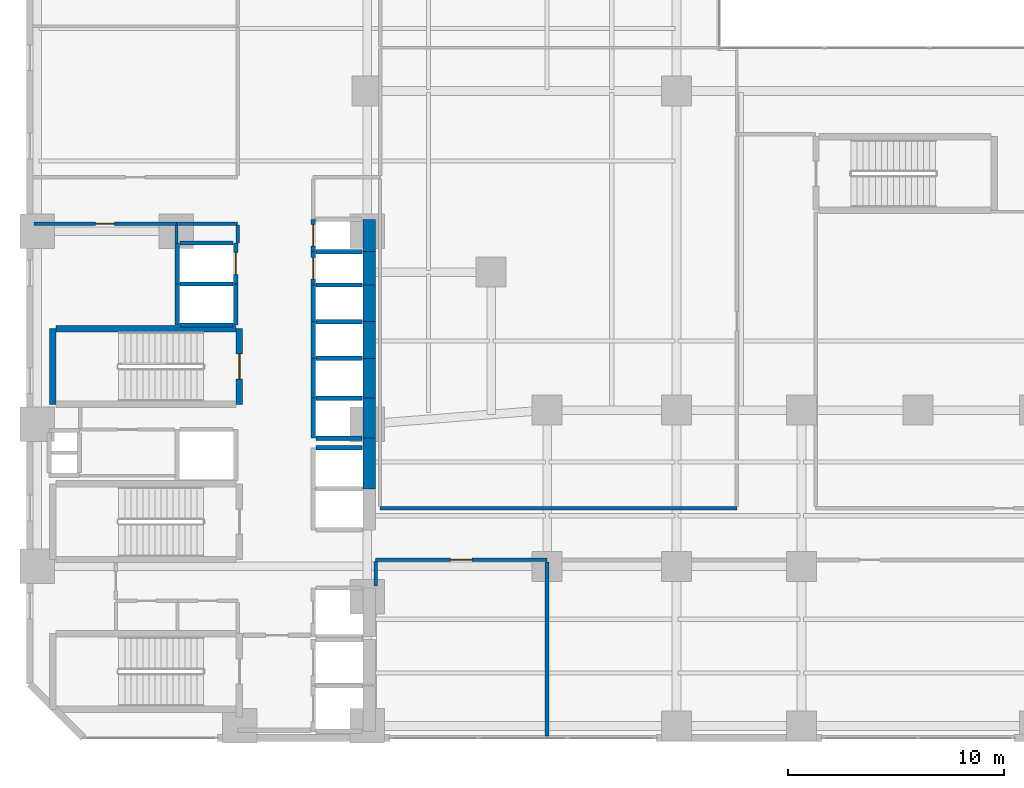
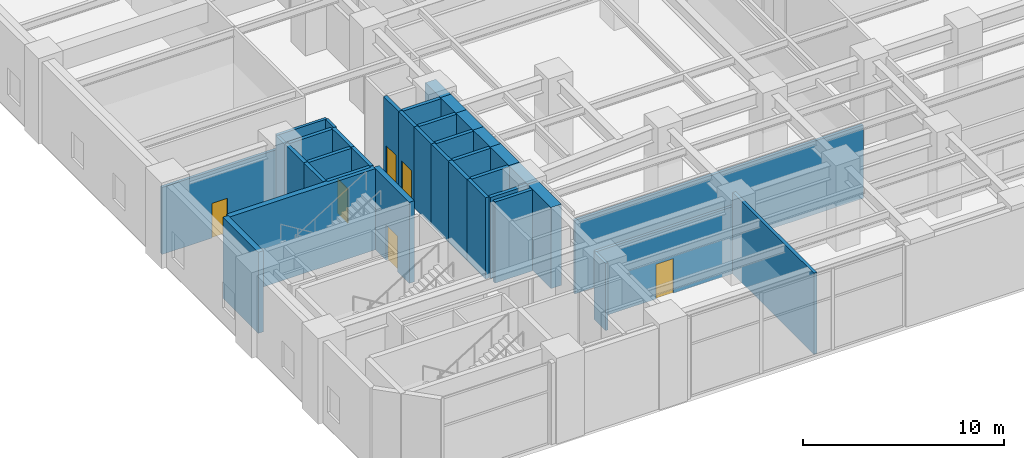
# One storey, part 22 of 29: 38 walls, 6 doors, 6 openings.
"""IFC4 building model written with IfcOpenShell, lengths in metres."""

from ifc_helpers import new_model, si_unit, direction, frame, frame_2d, origin, place, context, subcontext, project, spatial, rectangle, extrude, material, layer, layer_set, type_object, element, fill, save


model = new_model("IFC4")

# Units and contexts
model_context = context("Model", 3, precision=1e-05, world=origin(), true_north=direction((0.0, 1.0)))
body_context = subcontext(model_context, "Body", "Model", "MODEL_VIEW")
ifc_project = project(units=[si_unit("LENGTHUNIT", "METRE"), si_unit("AREAUNIT", "SQUARE_METRE"), si_unit("VOLUMEUNIT", "CUBIC_METRE"), si_unit("PLANEANGLEUNIT", "RADIAN"), si_unit("MASSUNIT", "GRAM", prefix="KILO")], contexts=[model_context])

# Site, building, storey
site_placement = place(None, origin())
site = spatial("IfcSite", under=ifc_project, at=site_placement, CompositionType="ELEMENT")
building_placement = place(site_placement, origin())
building = spatial("IfcBuilding", under=site, at=building_placement, Name="Mawjaban Terraces University", CompositionType="ELEMENT")
storey_placement = place(building_placement, frame((0.0, 0.0, 15.60009765625)))
storey = spatial("IfcBuildingStorey", under=building, at=storey_placement, Name="L03", CompositionType="ELEMENT", Elevation=15.60009765625)

# Walls
ifc_material_1 = material(Name="Acoustic masonry blockwork", Category="masonry")
ifc_layer_1 = layer(ifc_material_1, 0.179931640625)
ifc_layer_set_1 = layer_set([ifc_layer_1], Name="Acoustic masonry blockwork")
wall_type_1 = type_object("IfcWallType", Name="AcousticStudioWall_180", PredefinedType="PARTITIONING", material=ifc_layer_set_1)
wall_1_placement = place(storey_placement, frame((46.0, 0.090087890625, 0.0), z_axis=(0.0, 0.0, 1.0), x_axis=(0.0, 1.0, 0.0)))
element("IfcWall", 1, at=wall_1_placement, inside=storey, type_object=wall_type_1, Name="L03 Foundation Seminar Classroom Partition 36", PredefinedType="PARTITIONING", context=body_context, shape_type="SweptSolid", body=[
    extrude(rectangle(XDim=8.074951171875, YDim=0.179931640625, at=frame_2d((4.03759765625, 0.0))), origin(), (0.0, 0.0, 1.0), 4.919921875),
])
ifc_material_2 = material(Name="Concrete C70/85", Category="concrete")
ifc_layer_2 = layer(ifc_material_2, 0.60009765625)
ifc_layer_set_2 = layer_set([ifc_layer_2], Name="Concrete C70/85")
wall_type_2 = type_object("IfcWallType", Name="CoreShearWall_600", PredefinedType="SHEAR", material=ifc_layer_set_2)
wall_2_placement = place(storey_placement, frame((37.75, 11.550048828125, 0.0), z_axis=(0.0, 0.0, 1.0), x_axis=(0.0, 1.0, 0.0)))
element("IfcWall", 2, at=wall_2_placement, inside=storey, type_object=wall_type_2, Name="L03 Lift PL-H2 Hoistway Wall East", PredefinedType="SHEAR", context=body_context, shape_type="SweptSolid", body=[
    extrude(rectangle(XDim=2.349853515625, YDim=0.60009765625, at=frame_2d((1.1748046875, 0.0))), origin(), (0.0, 0.0, 1.0), 4.919921875),
])
for number, where, z_axis, x_axis, name in (
    (3, (37.75, 13.89990234375, 0.0), (0.0, 0.0, 1.0), (0.0, 1.0, 0.0), "L03 Lift OL-1 Hoistway Wall East"),
    (4, (37.75, 15.75, 0.0), (0.0, 0.0, 1.0), (0.0, 1.0, 0.0), "L03 Lift OL-2 Hoistway Wall East"),
):
    element("IfcWall", number, at=place(storey_placement, frame(where, z_axis=z_axis, x_axis=x_axis)), inside=storey, type_object=wall_type_2, Name=name, PredefinedType="SHEAR", context=body_context, shape_type="SweptSolid", body=[
        extrude(rectangle(XDim=1.85009765625, YDim=0.60009765625, at=frame_2d((0.925048828125, 0.0))), origin(), (0.0, 0.0, 1.0), 4.919921875),
    ])
for number, where, z_axis, x_axis, name in (
    (5, (37.75, 17.60009765625, 0.0), (0.0, 0.0, 1.0), (0.0, 1.0, 0.0), "L03 Lift PL-M1 Hoistway Wall East"),
    (6, (37.75, 19.300048828125, 0.0), (0.0, 0.0, 1.0), (0.0, 1.0, 0.0), "L03 Lift PL-M2 Hoistway Wall East"),
):
    element("IfcWall", number, at=place(storey_placement, frame(where, z_axis=z_axis, x_axis=x_axis)), inside=storey, type_object=wall_type_2, Name=name, PredefinedType="SHEAR", context=body_context, shape_type="SweptSolid", body=[
        extrude(rectangle(XDim=1.699951171875, YDim=0.60009765625, at=frame_2d((0.85009765625, 0.0))), origin(), (0.0, 0.0, 1.0), 4.919921875),
    ])
wall_3_placement = place(storey_placement, frame((37.75, 21.0, 0.0), z_axis=(0.0, 0.0, 1.0), x_axis=(0.0, 1.0, 0.0)))
element("IfcWall", 7, at=wall_3_placement, inside=storey, type_object=wall_type_2, Name="L03 Lift PL-L1 Hoistway Wall East", PredefinedType="SHEAR", context=body_context, shape_type="SweptSolid", body=[
    extrude(rectangle(XDim=1.550048828125, YDim=0.60009765625, at=frame_2d((0.77490234375, 0.0))), origin(), (0.0, 0.0, 1.0), 4.919921875),
])
wall_4_placement = place(storey_placement, frame((37.75, 22.550048828125, 0.0), z_axis=(0.0, 0.0, 1.0), x_axis=(0.0, 1.0, 0.0)))
element("IfcWall", 8, at=wall_4_placement, inside=storey, type_object=wall_type_2, Name="L03 Lift PL-L2 Hoistway Wall East", PredefinedType="SHEAR", context=body_context, shape_type="SweptSolid", body=[
    extrude(rectangle(XDim=1.5, YDim=0.60009765625, at=frame_2d((0.75, 0.0))), origin(), (0.0, 0.0, 1.0), 4.919921875),
])

# Wall, opening, door
ifc_material_3 = material(Name="Fire-rated gypsum board on steel stud", Category="steel")
ifc_layer_3 = layer(ifc_material_3, 0.159912109375)
ifc_layer_set_3 = layer_set([ifc_layer_3], Name="Fire-rated gypsum board on steel stud")
wall_type_3 = type_object("IfcWallType", Name="CorridorPartition_160", PredefinedType="PARTITIONING", material=ifc_layer_set_3)
wall_5_placement = place(storey_placement, frame((28.800048828125, 23.85009765625, 0.0), z_axis=(0.0, 0.0, 1.0), x_axis=(-1.0, 0.0, 0.0)))
wall_5 = element("IfcWall", 9, at=wall_5_placement, inside=storey, type_object=wall_type_3, Name="L03 Female Toilet Partition 4", PredefinedType="PARTITIONING", context=body_context, shape_type="SweptSolid", body=[
    extrude(rectangle(XDim=6.60009765625, YDim=0.159912109375, at=frame_2d((3.300048828125, 0.0))), origin(), (0.0, 0.0, 1.0), 4.06494140625),
])
opening_1_placement = place(wall_5_placement, frame((2.860107421875, 0.0, 0.0)))
opening_1 = element("IfcOpeningElement", 10, at=opening_1_placement, cuts=wall_5, Name="Opening ID-088", PredefinedType="OPENING", context=body_context, shape_type="SweptSolid", body=[
    extrude(rectangle(XDim=0.8798828125, YDim=2.10009765625, at=frame_2d((0.43994140625, 1.050048828125))), frame((0.0, 0.08984375, 0.0), z_axis=(0.0, -1.0, 0.0), x_axis=(1.0, 0.0, 0.0)), (0.0, 0.0, 1.0), 0.179931640625),
])
ifc_material_4 = material(Name="Powder-coated steel frame and solid acoustic timber leaf", Category="steel")
door_type_1 = type_object("IfcDoorType", Name="ToiletDoor_880x2100", OperationType="NOTDEFINED", PredefinedType="DOOR", material=ifc_material_4)
door_1_placement = place(opening_1_placement, origin())
door_1 = element("IfcDoor", 11, at=door_1_placement, inside=storey, type_object=door_type_1, Name="L03 Female Toilet Door", OperationType="SINGLE_SWING_RIGHT", OverallHeight=2.10009765625, OverallWidth=0.8798828125, PredefinedType="DOOR", context=body_context, shape_type="SweptSolid", body=[
    extrude(rectangle(XDim=0.8798828125, YDim=2.10009765625, at=frame_2d((0.43994140625, 1.050048828125))), frame((0.0, 0.02490234375, 0.0), z_axis=(0.0, -1.0, 0.0), x_axis=(1.0, 0.0, 0.0)), (0.0, 0.0, 1.0), 0.050048828125),
])
fill(opening_1, door_1)

# Wall
wall_6_placement = place(storey_placement, frame((28.800048828125, 23.85009765625, 0.0), z_axis=(0.0, 0.0, 1.0), x_axis=(1.0, 0.0, 0.0)))
element("IfcWall", 12, at=wall_6_placement, inside=storey, type_object=wall_type_3, Name="L03 North Core Cross-Corridor Partition 5", PredefinedType="PARTITIONING", context=body_context, shape_type="SweptSolid", body=[
    extrude(rectangle(XDim=2.849853515625, YDim=0.159912109375, at=frame_2d((1.4248046875, 0.0))), origin(), (0.0, 0.0, 1.0), 4.919921875),
])

# Wall, opening, door
wall_7_placement = place(storey_placement, frame((38.050048828125, 8.25, 0.0), z_axis=(0.0, 0.0, 1.0), x_axis=(1.0, 0.0, 0.0)))
wall_7 = element("IfcWall", 13, at=wall_7_placement, inside=storey, type_object=wall_type_3, Name="L03 Podium Academic Gallery Corridor Partition 12", PredefinedType="PARTITIONING", context=body_context, shape_type="SweptSolid", body=[
    extrude(rectangle(XDim=7.949951171875, YDim=0.159912109375, at=frame_2d((3.97509765625, 0.0))), origin(), (0.0, 0.0, 1.0), 4.06494140625),
])
opening_2_placement = place(wall_7_placement, frame((3.47509765625, 0.0, 0.0)))
opening_2 = element("IfcOpeningElement", 14, at=opening_2_placement, cuts=wall_7, Name="Opening ID-100", PredefinedType="OPENING", context=body_context, shape_type="SweptSolid", body=[
    extrude(rectangle(XDim=1.0, YDim=2.10009765625, at=frame_2d((0.5, 1.050048828125))), frame((0.0, 0.08984375, 0.0), z_axis=(0.0, -1.0, 0.0), x_axis=(1.0, 0.0, 0.0)), (0.0, 0.0, 1.0), 0.179931640625),
])
door_type_2 = type_object("IfcDoorType", Name="ClassroomDoor_1000x2100", OperationType="NOTDEFINED", PredefinedType="DOOR", material=ifc_material_4)
door_2_placement = place(opening_2_placement, origin())
door_2 = element("IfcDoor", 15, at=door_2_placement, inside=storey, type_object=door_type_2, Name="L03 Foundation Seminar Classroom Door", OperationType="SINGLE_SWING_LEFT", OverallHeight=2.10009765625, OverallWidth=1.0, PredefinedType="DOOR", context=body_context, shape_type="SweptSolid", body=[
    extrude(rectangle(XDim=1.0, YDim=2.10009765625, at=frame_2d((0.5, 1.050048828125))), frame((0.0, 0.02490234375, 0.0), z_axis=(0.0, -1.0, 0.0), x_axis=(1.0, 0.0, 0.0)), (0.0, 0.0, 1.0), 0.050048828125),
])
fill(opening_2, door_2)

# Walls
wall_8_placement = place(storey_placement, frame((54.800048828125, 10.64990234375, 0.0), z_axis=(0.0, 0.0, 1.0), x_axis=(-1.0, 0.0, 0.0)))
element("IfcWall", 16, at=wall_8_placement, inside=storey, type_object=wall_type_3, Name="L03 Podium Academic Gallery Corridor Partition 17", PredefinedType="PARTITIONING", context=body_context, shape_type="SweptSolid", body=[
    extrude(rectangle(XDim=16.550048828125, YDim=0.159912109375, at=frame_2d((8.27490234375, 0.0))), origin(), (0.0, 0.0, 1.0), 4.450927734375),
])
wall_9_placement = place(storey_placement, frame((31.64990234375, 23.77490234375, 0.0), z_axis=(0.0, 0.0, 1.0), x_axis=(0.0, -1.0, 0.0)))
element("IfcWall", 17, at=wall_9_placement, inside=storey, type_object=wall_type_3, Name="L03 Passenger Lift Lobby Partition 27", PredefinedType="PARTITIONING", context=body_context, shape_type="SweptSolid", body=[
    extrude(rectangle(XDim=0.824951171875, YDim=0.159912109375, at=frame_2d((0.41259765625, 0.0))), origin(), (0.0, 0.0, 1.0), 4.919921875),
])
wall_10_placement = place(storey_placement, frame((38.050048828125, 7.050048828125, 0.0), z_axis=(0.0, 0.0, 1.0), x_axis=(0.0, 1.0, 0.0)))
element("IfcWall", 18, at=wall_10_placement, inside=storey, type_object=wall_type_3, Name="L03 Core Stair and Lift Lobby East Partition 31", PredefinedType="PARTITIONING", context=body_context, shape_type="SweptSolid", body=[
    extrude(rectangle(XDim=1.125, YDim=0.159912109375, at=frame_2d((0.5625, 0.0))), origin(), (0.0, 0.0, 1.0), 4.06494140625),
])
ifc_material_5 = material(Name="Concrete C40/50", Category="concrete")
ifc_layer_4 = layer(ifc_material_5, 0.199951171875)
ifc_layer_set_4 = layer_set([ifc_layer_4], Name="Concrete C40/50")
wall_type_4 = type_object("IfcWallType", Name="FireLobbyWall_200", PredefinedType="SOLIDWALL", material=ifc_layer_set_4)
wall_11_placement = place(storey_placement, frame((37.419921875, 13.449951171875, 0.0), z_axis=(0.0, 0.0, 1.0), x_axis=(-1.0, 0.0, 0.0)))
element("IfcWall", 19, at=wall_11_placement, inside=storey, type_object=wall_type_4, Name="L03 Lift PL-H2 Hoistway Wall North", PredefinedType="SOLIDWALL", context=body_context, shape_type="SweptSolid", body=[
    extrude(rectangle(XDim=2.139892578125, YDim=0.199951171875, at=frame_2d((1.06982421875, 0.0))), origin(), (0.0, 0.0, 1.0), 4.919921875),
])
wall_12_placement = place(storey_placement, frame((35.14990234375, 15.75, 0.0), z_axis=(0.0, 0.0, 1.0), x_axis=(0.0, -1.0, 0.0)))
element("IfcWall", 20, at=wall_12_placement, inside=storey, type_object=wall_type_4, Name="L03 Lift OL-1 Hoistway Wall West", PredefinedType="SOLIDWALL", context=body_context, shape_type="SweptSolid", body=[
    extrude(rectangle(XDim=1.85009765625, YDim=0.199951171875, at=frame_2d((0.925048828125, 0.0))), origin(), (0.0, 0.0, 1.0), 4.919921875),
])
for number, where, z_axis, x_axis, name in (
    (21, (35.280029296875, 13.89990234375, 0.0), (0.0, 0.0, 1.0), (1.0, 0.0, 0.0), "L03 Lift OL-1 Hoistway Wall South"),
    (22, (37.419921875, 15.75, 0.0), (0.0, 0.0, 1.0), (-1.0, 0.0, 0.0), "L03 Lift OL-1 Hoistway Wall North"),
):
    element("IfcWall", number, at=place(storey_placement, frame(where, z_axis=z_axis, x_axis=x_axis)), inside=storey, type_object=wall_type_4, Name=name, PredefinedType="SOLIDWALL", context=body_context, shape_type="SweptSolid", body=[
        extrude(rectangle(XDim=2.139892578125, YDim=0.199951171875, at=frame_2d((1.06982421875, 0.0))), origin(), (0.0, 0.0, 1.0), 4.919921875),
    ])
wall_13_placement = place(storey_placement, frame((35.14990234375, 17.60009765625, 0.0), z_axis=(0.0, 0.0, 1.0), x_axis=(0.0, -1.0, 0.0)))
element("IfcWall", 23, at=wall_13_placement, inside=storey, type_object=wall_type_4, Name="L03 Lift OL-2 Hoistway Wall West", PredefinedType="SOLIDWALL", context=body_context, shape_type="SweptSolid", body=[
    extrude(rectangle(XDim=1.85009765625, YDim=0.199951171875, at=frame_2d((0.925048828125, 0.0))), origin(), (0.0, 0.0, 1.0), 4.919921875),
])
wall_14_placement = place(storey_placement, frame((37.419921875, 17.60009765625, 0.0), z_axis=(0.0, 0.0, 1.0), x_axis=(-1.0, 0.0, 0.0)))
element("IfcWall", 24, at=wall_14_placement, inside=storey, type_object=wall_type_4, Name="L03 Lift OL-2 Hoistway Wall North", PredefinedType="SOLIDWALL", context=body_context, shape_type="SweptSolid", body=[
    extrude(rectangle(XDim=2.139892578125, YDim=0.199951171875, at=frame_2d((1.06982421875, 0.0))), origin(), (0.0, 0.0, 1.0), 4.919921875),
])
wall_15_placement = place(storey_placement, frame((35.14990234375, 19.300048828125, 0.0), z_axis=(0.0, 0.0, 1.0), x_axis=(0.0, -1.0, 0.0)))
element("IfcWall", 25, at=wall_15_placement, inside=storey, type_object=wall_type_4, Name="L03 Lift PL-M1 Hoistway Wall West", PredefinedType="SOLIDWALL", context=body_context, shape_type="SweptSolid", body=[
    extrude(rectangle(XDim=1.699951171875, YDim=0.199951171875, at=frame_2d((0.85009765625, 0.0))), origin(), (0.0, 0.0, 1.0), 4.919921875),
])
wall_16_placement = place(storey_placement, frame((37.419921875, 19.300048828125, 0.0), z_axis=(0.0, 0.0, 1.0), x_axis=(-1.0, 0.0, 0.0)))
element("IfcWall", 26, at=wall_16_placement, inside=storey, type_object=wall_type_4, Name="L03 Lift PL-M1 Hoistway Wall North", PredefinedType="SOLIDWALL", context=body_context, shape_type="SweptSolid", body=[
    extrude(rectangle(XDim=2.139892578125, YDim=0.199951171875, at=frame_2d((1.06982421875, 0.0))), origin(), (0.0, 0.0, 1.0), 4.919921875),
])
wall_17_placement = place(storey_placement, frame((35.14990234375, 21.0, 0.0), z_axis=(0.0, 0.0, 1.0), x_axis=(0.0, -1.0, 0.0)))
element("IfcWall", 27, at=wall_17_placement, inside=storey, type_object=wall_type_4, Name="L03 Lift PL-M2 Hoistway Wall West", PredefinedType="SOLIDWALL", context=body_context, shape_type="SweptSolid", body=[
    extrude(rectangle(XDim=1.699951171875, YDim=0.199951171875, at=frame_2d((0.85009765625, 0.0))), origin(), (0.0, 0.0, 1.0), 4.919921875),
])
wall_18_placement = place(storey_placement, frame((37.419921875, 21.0, 0.0), z_axis=(0.0, 0.0, 1.0), x_axis=(-1.0, 0.0, 0.0)))
element("IfcWall", 28, at=wall_18_placement, inside=storey, type_object=wall_type_4, Name="L03 Lift PL-M2 Hoistway Wall North", PredefinedType="SOLIDWALL", context=body_context, shape_type="SweptSolid", body=[
    extrude(rectangle(XDim=2.139892578125, YDim=0.199951171875, at=frame_2d((1.06982421875, 0.0))), origin(), (0.0, 0.0, 1.0), 4.919921875),
])
for number, where, z_axis, x_axis, name in (
    (29, (28.85009765625, 21.050048828125, 0.0), (0.0, 0.0, 1.0), (0.0, -1.0, 0.0), "L03 Lift PL-M3 Hoistway Wall West"),
    (30, (31.550048828125, 19.14990234375, 0.0), (0.0, 0.0, 1.0), (0.0, 1.0, 0.0), "L03 Lift PL-M3 Hoistway Wall East"),
):
    element("IfcWall", number, at=place(storey_placement, frame(where, z_axis=z_axis, x_axis=x_axis)), inside=storey, type_object=wall_type_4, Name=name, PredefinedType="SOLIDWALL", context=body_context, shape_type="SweptSolid", body=[
        extrude(rectangle(XDim=1.900146484375, YDim=0.199951171875, at=frame_2d((0.9501953125, 0.0))), origin(), (0.0, 0.0, 1.0), 4.919921875),
    ])
for number, where, z_axis, x_axis, name in (
    (31, (28.97998046875, 19.14990234375, 0.0), (0.0, 0.0, 1.0), (1.0, 0.0, 0.0), "L03 Lift PL-M3 Hoistway Wall South"),
    (32, (31.419921875, 21.050048828125, 0.0), (0.0, 0.0, 1.0), (-1.0, 0.0, 0.0), "L03 Lift PL-M3 Hoistway Wall North"),
):
    element("IfcWall", number, at=place(storey_placement, frame(where, z_axis=z_axis, x_axis=x_axis)), inside=storey, type_object=wall_type_4, Name=name, PredefinedType="SOLIDWALL", context=body_context, shape_type="SweptSolid", body=[
        extrude(rectangle(XDim=2.43994140625, YDim=0.199951171875, at=frame_2d((1.219970703125, 0.0))), origin(), (0.0, 0.0, 1.0), 4.919921875),
    ])

# Wall, opening, door
wall_19_placement = place(storey_placement, frame((35.14990234375, 22.550048828125, 0.0), z_axis=(0.0, 0.0, 1.0), x_axis=(0.0, -1.0, 0.0)))
wall_19 = element("IfcWall", 33, at=wall_19_placement, inside=storey, type_object=wall_type_4, Name="L03 Lift PL-L1 Hoistway Wall West", PredefinedType="SOLIDWALL", context=body_context, shape_type="SweptSolid", body=[
    extrude(rectangle(XDim=1.550048828125, YDim=0.199951171875, at=frame_2d((0.77490234375, 0.0))), origin(), (0.0, 0.0, 1.0), 4.919921875),
])
opening_3_placement = place(wall_19_placement, frame((0.27490234375, 0.0, 0.0)))
opening_3 = element("IfcOpeningElement", 34, at=opening_3_placement, cuts=wall_19, Name="Opening LD-PL-L1", PredefinedType="OPENING", context=body_context, shape_type="SweptSolid", body=[
    extrude(rectangle(XDim=1.0, YDim=2.10009765625, at=frame_2d((0.5, 1.050048828125))), frame((0.0, 0.10986328125, 0.0), z_axis=(0.0, -1.0, 0.0), x_axis=(1.0, 0.0, 0.0)), (0.0, 0.0, 1.0), 0.219970703125),
])
ifc_material_6 = material(Name="Powder-coated steel frame and fire-rated steel-faced leaf", Category="steel")
door_type_3 = type_object("IfcDoorType", Name="LiftLandingSliding_1000x2100", OperationType="NOTDEFINED", PredefinedType="DOOR", material=ifc_material_6)
door_3_placement = place(opening_3_placement, origin())
door_3 = element("IfcDoor", 35, at=door_3_placement, inside=storey, type_object=door_type_3, Name="L03 Lift PL-L1 Sliding Landing Door", OperationType="DOUBLE_DOOR_SLIDING", OverallHeight=2.10009765625, OverallWidth=1.0, PredefinedType="DOOR", context=body_context, shape_type="SweptSolid", body=[
    extrude(rectangle(XDim=1.0, YDim=2.10009765625, at=frame_2d((0.5, 1.050048828125))), frame((0.0, 0.02490234375, 0.0), z_axis=(0.0, -1.0, 0.0), x_axis=(1.0, 0.0, 0.0)), (0.0, 0.0, 1.0), 0.050048828125),
])
fill(opening_3, door_3)

# Wall
wall_20_placement = place(storey_placement, frame((37.419921875, 22.550048828125, 0.0), z_axis=(0.0, 0.0, 1.0), x_axis=(-1.0, 0.0, 0.0)))
element("IfcWall", 36, at=wall_20_placement, inside=storey, type_object=wall_type_4, Name="L03 Lift PL-L1 Hoistway Wall North", PredefinedType="SOLIDWALL", context=body_context, shape_type="SweptSolid", body=[
    extrude(rectangle(XDim=2.139892578125, YDim=0.199951171875, at=frame_2d((1.06982421875, 0.0))), origin(), (0.0, 0.0, 1.0), 4.919921875),
])

# Wall, opening, door
wall_21_placement = place(storey_placement, frame((35.14990234375, 24.050048828125, 0.0), z_axis=(0.0, 0.0, 1.0), x_axis=(0.0, -1.0, 0.0)))
wall_21 = element("IfcWall", 37, at=wall_21_placement, inside=storey, type_object=wall_type_4, Name="L03 Lift PL-L2 Hoistway Wall West", PredefinedType="SOLIDWALL", context=body_context, shape_type="SweptSolid", body=[
    extrude(rectangle(XDim=1.5, YDim=0.199951171875, at=frame_2d((0.75, 0.0))), origin(), (0.0, 0.0, 1.0), 4.919921875),
])
opening_4_placement = place(wall_21_placement, frame((0.25, 0.0, 0.0)))
opening_4 = element("IfcOpeningElement", 38, at=opening_4_placement, cuts=wall_21, Name="Opening LD-PL-L2", PredefinedType="OPENING", context=body_context, shape_type="SweptSolid", body=[
    extrude(rectangle(XDim=1.0, YDim=2.10009765625, at=frame_2d((0.5, 1.050048828125))), frame((0.0, 0.10986328125, 0.0), z_axis=(0.0, -1.0, 0.0), x_axis=(1.0, 0.0, 0.0)), (0.0, 0.0, 1.0), 0.219970703125),
])
door_4_placement = place(opening_4_placement, origin())
door_4 = element("IfcDoor", 39, at=door_4_placement, inside=storey, type_object=door_type_3, Name="L03 Lift PL-L2 Sliding Landing Door", OperationType="DOUBLE_DOOR_SLIDING", OverallHeight=2.10009765625, OverallWidth=1.0, PredefinedType="DOOR", context=body_context, shape_type="SweptSolid", body=[
    extrude(rectangle(XDim=1.0, YDim=2.10009765625, at=frame_2d((0.5, 1.050048828125))), frame((0.0, 0.02490234375, 0.0), z_axis=(0.0, -1.0, 0.0), x_axis=(1.0, 0.0, 0.0)), (0.0, 0.0, 1.0), 0.050048828125),
])
fill(opening_4, door_4)

# Wall
wall_22_placement = place(storey_placement, frame((28.85009765625, 22.949951171875, 0.0), z_axis=(0.0, 0.0, 1.0), x_axis=(0.0, -1.0, 0.0)))
element("IfcWall", 40, at=wall_22_placement, inside=storey, type_object=wall_type_4, Name="L03 Lift PL-L3 Hoistway Wall West", PredefinedType="SOLIDWALL", context=body_context, shape_type="SweptSolid", body=[
    extrude(rectangle(XDim=1.89990234375, YDim=0.199951171875, at=frame_2d((0.949951171875, 0.0))), origin(), (0.0, 0.0, 1.0), 4.919921875),
])

# Wall, opening, door
wall_23_placement = place(storey_placement, frame((31.550048828125, 21.050048828125, 0.0), z_axis=(0.0, 0.0, 1.0), x_axis=(0.0, 1.0, 0.0)))
wall_23 = element("IfcWall", 41, at=wall_23_placement, inside=storey, type_object=wall_type_4, Name="L03 Lift PL-L3 Hoistway Wall East", PredefinedType="SOLIDWALL", context=body_context, shape_type="SweptSolid", body=[
    extrude(rectangle(XDim=1.89990234375, YDim=0.199951171875, at=frame_2d((0.949951171875, 0.0))), origin(), (0.0, 0.0, 1.0), 4.919921875),
])
opening_5_placement = place(wall_23_placement, frame((0.449951171875, 0.0, 0.0)))
opening_5 = element("IfcOpeningElement", 42, at=opening_5_placement, cuts=wall_23, Name="Opening LD-PL-L3", PredefinedType="OPENING", context=body_context, shape_type="SweptSolid", body=[
    extrude(rectangle(XDim=1.0, YDim=2.10009765625, at=frame_2d((0.5, 1.050048828125))), frame((0.0, 0.10986328125, 0.0), z_axis=(0.0, -1.0, 0.0), x_axis=(1.0, 0.0, 0.0)), (0.0, 0.0, 1.0), 0.219970703125),
])
door_5_placement = place(opening_5_placement, origin())
door_5 = element("IfcDoor", 43, at=door_5_placement, inside=storey, type_object=door_type_3, Name="L03 Lift PL-L3 Sliding Landing Door", OperationType="DOUBLE_DOOR_SLIDING", OverallHeight=2.10009765625, OverallWidth=1.0, PredefinedType="DOOR", context=body_context, shape_type="SweptSolid", body=[
    extrude(rectangle(XDim=1.0, YDim=2.10009765625, at=frame_2d((0.5, 1.050048828125))), frame((0.0, 0.02490234375, 0.0), z_axis=(0.0, -1.0, 0.0), x_axis=(1.0, 0.0, 0.0)), (0.0, 0.0, 1.0), 0.050048828125),
])
fill(opening_5, door_5)

# Walls
wall_24_placement = place(storey_placement, frame((31.429931640625, 22.949951171875, 0.0), z_axis=(0.0, 0.0, 1.0), x_axis=(-1.0, 0.0, 0.0)))
element("IfcWall", 44, at=wall_24_placement, inside=storey, type_object=wall_type_4, Name="L03 Lift PL-L3 Hoistway Wall North", PredefinedType="SOLIDWALL", context=body_context, shape_type="SweptSolid", body=[
    extrude(rectangle(XDim=2.4599609375, YDim=0.199951171875, at=frame_2d((1.22998046875, 0.0))), origin(), (0.0, 0.0, 1.0), 4.919921875),
])
ifc_material_7 = material(Name="Concrete C60/75", Category="concrete")
ifc_layer_5 = layer(ifc_material_7, 0.300048828125)
ifc_layer_set_5 = layer_set([ifc_layer_5], Name="Concrete C60/75")
wall_type_5 = type_object("IfcWallType", Name="StairShaftWall_300", PredefinedType="SHEAR", material=ifc_layer_set_5)
wall_25_placement = place(storey_placement, frame((31.580078125, 18.97998046875, 0.0), z_axis=(0.0, 0.0, 1.0), x_axis=(-1.0, 0.0, 0.0)))
element("IfcWall", 45, at=wall_25_placement, inside=storey, type_object=wall_type_5, Name="L03 ST-2 Stair Shaft Wall 1", PredefinedType="SHEAR", context=body_context, shape_type="SweptSolid", body=[
    extrude(rectangle(XDim=8.360107421875, YDim=0.300048828125, at=frame_2d((4.18017578125, 0.0))), origin(), (0.0, 0.0, 1.0), 4.919921875),
])
wall_26_placement = place(storey_placement, frame((23.070068359375, 18.97998046875, 0.0), z_axis=(0.0, 0.0, 1.0), x_axis=(0.0, -1.0, 0.0)))
element("IfcWall", 46, at=wall_26_placement, inside=storey, type_object=wall_type_5, Name="L03 ST-2 Stair Shaft Wall 2", PredefinedType="SHEAR", context=body_context, shape_type="SweptSolid", body=[
    extrude(rectangle(XDim=3.510009765625, YDim=0.300048828125, at=frame_2d((1.7548828125, 0.0))), origin(), (0.0, 0.0, 1.0), 4.919921875),
])

# Wall, opening, door
wall_27_placement = place(storey_placement, frame((31.72998046875, 15.469970703125, 0.0), z_axis=(0.0, 0.0, 1.0), x_axis=(0.0, 1.0, 0.0)))
wall_27 = element("IfcWall", 47, at=wall_27_placement, inside=storey, type_object=wall_type_5, Name="L03 ST-2 Stair Shaft Wall 4", PredefinedType="SHEAR", context=body_context, shape_type="SweptSolid", body=[
    extrude(rectangle(XDim=3.510009765625, YDim=0.300048828125, at=frame_2d((1.7548828125, 0.0))), origin(), (0.0, 0.0, 1.0), 4.919921875),
])
opening_6_placement = place(wall_27_placement, frame((1.179931640625, 0.0, 0.0)))
opening_6 = element("IfcOpeningElement", 48, at=opening_6_placement, cuts=wall_27, Name="Opening FD-115", PredefinedType="OPENING", context=body_context, shape_type="SweptSolid", body=[
    extrude(rectangle(XDim=1.14990234375, YDim=2.14990234375, at=frame_2d((0.574951171875, 1.074951171875))), frame((0.0, 0.159912109375, 0.0), z_axis=(0.0, -1.0, 0.0), x_axis=(1.0, 0.0, 0.0)), (0.0, 0.0, 1.0), 0.320068359375),
])
door_type_4 = type_object("IfcDoorType", Name="FireStairDoor_1150x2150", OperationType="NOTDEFINED", PredefinedType="DOOR", material=ifc_material_6)
door_6_placement = place(opening_6_placement, origin())
door_6 = element("IfcDoor", 49, at=door_6_placement, inside=storey, type_object=door_type_4, Name="L03 ST-2 Pressurised Stair Fire Door", OperationType="SINGLE_SWING_LEFT", OverallHeight=2.14990234375, OverallWidth=1.14990234375, PredefinedType="DOOR", context=body_context, shape_type="SweptSolid", body=[
    extrude(rectangle(XDim=1.14990234375, YDim=2.14990234375, at=frame_2d((0.574951171875, 1.074951171875))), frame((0.0, 0.02490234375, 0.0), z_axis=(0.0, -1.0, 0.0), x_axis=(1.0, 0.0, 0.0)), (0.0, 0.0, 1.0), 0.050048828125),
])
fill(opening_6, door_6)

# Wall
ifc_material_8 = material(Name="Cement-board wet-room partition", Category="masonry")
ifc_layer_6 = layer(ifc_material_8, 0.135009765625)
ifc_layer_set_6 = layer_set([ifc_layer_6], Name="Cement-board wet-room partition")
wall_type_6 = type_object("IfcWallType", Name="WetRoomPartition_135", PredefinedType="PARTITIONING", material=ifc_layer_set_6)
wall_28_placement = place(storey_placement, frame((28.800048828125, 22.949951171875, 0.0), z_axis=(0.0, 0.0, 1.0), x_axis=(0.0, 1.0, 0.0)))
element("IfcWall", 50, at=wall_28_placement, inside=storey, type_object=wall_type_6, Name="L03 Female Toilet Partition 24", PredefinedType="PARTITIONING", context=body_context, shape_type="SweptSolid", body=[
    extrude(rectangle(XDim=0.824951171875, YDim=0.135009765625, at=frame_2d((0.41259765625, 0.0))), origin(), (0.0, 0.0, 1.0), 4.919921875),
])

save(model, "model.ifc")
